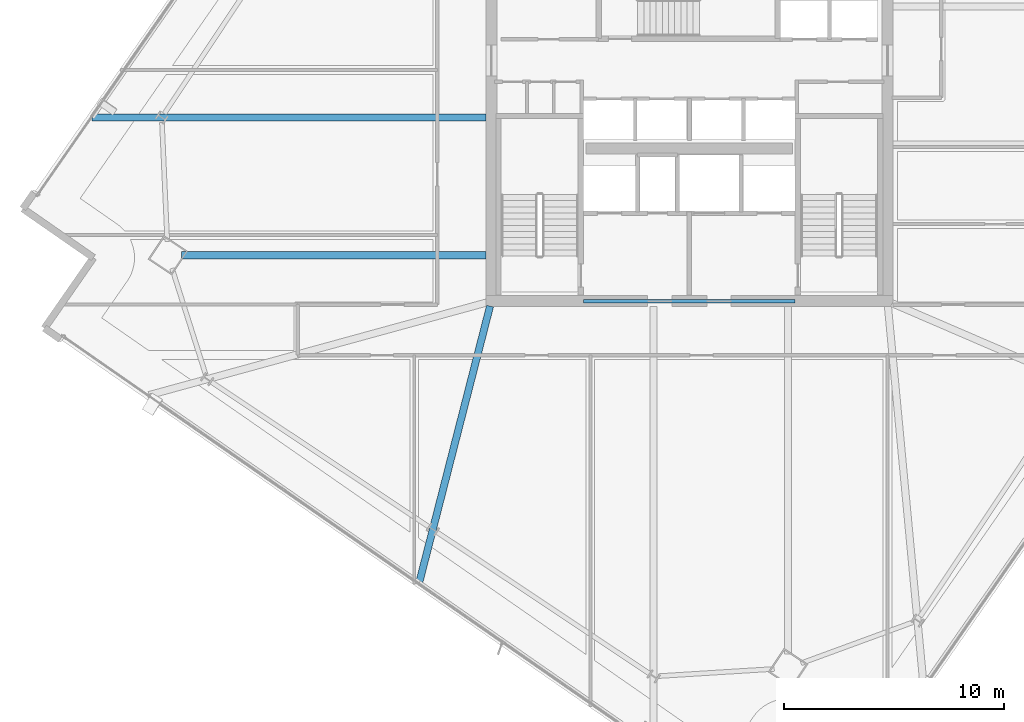
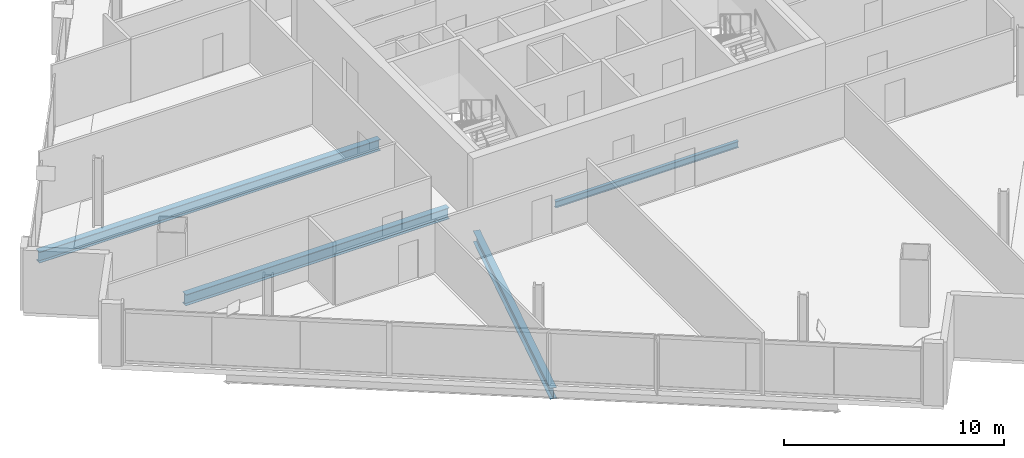
# One storey, part 7 of 30: 4 beams.
"""IFC4 building model written with IfcOpenShell, lengths in metres."""

from ifc_helpers import new_model, si_unit, direction, frame, origin, origin_2d, place, context, subcontext, project, spatial, i_section, extrude, material, material_profile, profile_set, type_object, element, save


model = new_model("IFC4")

# Units and contexts
model_context = context("Model", 3, precision=1e-05, world=origin(), true_north=direction((0.0, 1.0)))
body_context = subcontext(model_context, "Body", "Model", "MODEL_VIEW")
ifc_project = project(units=[si_unit("LENGTHUNIT", "METRE"), si_unit("AREAUNIT", "SQUARE_METRE"), si_unit("VOLUMEUNIT", "CUBIC_METRE"), si_unit("PLANEANGLEUNIT", "RADIAN"), si_unit("MASSUNIT", "GRAM", prefix="KILO")], contexts=[model_context])

# Site, building, storey
site_placement = place(None, origin())
site = spatial("IfcSite", under=ifc_project, at=site_placement, CompositionType="ELEMENT")
building_placement = place(site_placement, origin())
building = spatial("IfcBuilding", under=site, at=building_placement, Name="Haldenkirk Collegiate Tower", CompositionType="ELEMENT")
storey_placement = place(building_placement, frame((0.0, 0.0, 213.449951171875)))
storey = spatial("IfcBuildingStorey", under=building, at=storey_placement, Name="L53", CompositionType="ELEMENT", Elevation=213.449951171875)

# Beams
ifc_material = material(Name="Steel ASTM A992 Grade 50", Category="steel")
ifc_material_profile_1 = material_profile(ifc_material, i_section(OverallWidth=0.324951171875, OverallDepth=0.615966796875, WebThickness=0.013916015625, FlangeThickness=0.021484375, at=origin_2d()), Name="W24X117")
ifc_profile_set_1 = profile_set([ifc_material_profile_1], Name="Steel ASTM A992 Grade 50")
beam_type_1 = type_object("IfcBeamType", Name="BM-GIRDER-W24X117", PredefinedType="BEAM", material=ifc_profile_set_1)
beam_1_placement = place(storey_placement, frame((12.9345703125, 20.089599609375, -0.587890625), z_axis=(1.0, 0.0, 0.0), x_axis=(0.0, 1.0, 0.0)))
element("IfcBeam", 1, at=beam_1_placement, inside=storey, type_object=beam_type_1, Name="L53 primary floor girder 04", PredefinedType="BEAM", context=body_context, shape_type="SweptSolid", body=[
    extrude(i_section(OverallWidth=0.324951171875, OverallDepth=0.615966796875, WebThickness=0.013916015625, FlangeThickness=0.021484375, at=origin_2d()), origin(), (0.0, 0.0, 1.0), 13.83544921875),
])
beam_2_placement = place(storey_placement, frame((8.864990234375, 26.34716796875, -0.587890625), z_axis=(1.0, 0.0, 0.0), x_axis=(0.0, 1.0, 0.0)))
element("IfcBeam", 2, at=beam_2_placement, inside=storey, type_object=beam_type_1, Name="L53 primary floor girder 13", PredefinedType="BEAM", context=body_context, shape_type="SweptSolid", body=[
    extrude(i_section(OverallWidth=0.324951171875, OverallDepth=0.615966796875, WebThickness=0.013916015625, FlangeThickness=0.021484375, at=origin_2d()), origin(), (0.0, 0.0, 1.0), 17.905029296875),
])
beam_3_placement = place(storey_placement, frame((23.722412109375, 5.20849609375, -0.587890625), z_axis=(0.24821191601, 0.968705757571, 0.0), x_axis=(-0.968705757571, 0.24821191601, 0.0)))
element("IfcBeam", 3, at=beam_3_placement, inside=storey, type_object=beam_type_1, Name="L53 primary floor girder 15", PredefinedType="BEAM", context=body_context, shape_type="SweptSolid", body=[
    extrude(i_section(OverallWidth=0.324951171875, OverallDepth=0.615966796875, WebThickness=0.013916015625, FlangeThickness=0.021484375, at=origin_2d()), origin(), (0.0, 0.0, 1.0), 12.974609375),
])
ifc_material_profile_2 = material_profile(ifc_material, i_section(OverallWidth=0.1708984375, OverallDepth=0.35595703125, WebThickness=0.007080078125, FlangeThickness=0.01171875, at=origin_2d()), Name="W14X34")
ifc_profile_set_2 = profile_set([ifc_material_profile_2], Name="Steel ASTM A992 Grade 50")
beam_type_2 = type_object("IfcBeamType", Name="BM-LINTEL-W14X34", PredefinedType="LINTEL", material=ifc_profile_set_2)
beam_4_placement = place(storey_placement, frame((31.199951171875, 18.0, -0.4580078125), z_axis=(1.0, 0.0, 0.0), x_axis=(0.0, 1.0, 0.0)))
element("IfcBeam", 4, at=beam_4_placement, inside=storey, type_object=beam_type_2, Name="L53 south core coupling lintel", PredefinedType="LINTEL", context=body_context, shape_type="SweptSolid", body=[
    extrude(i_section(OverallWidth=0.1708984375, OverallDepth=0.35595703125, WebThickness=0.007080078125, FlangeThickness=0.01171875, at=origin_2d()), origin(), (0.0, 0.0, 1.0), 9.60009765625),
])

save(model, "model.ifc")
